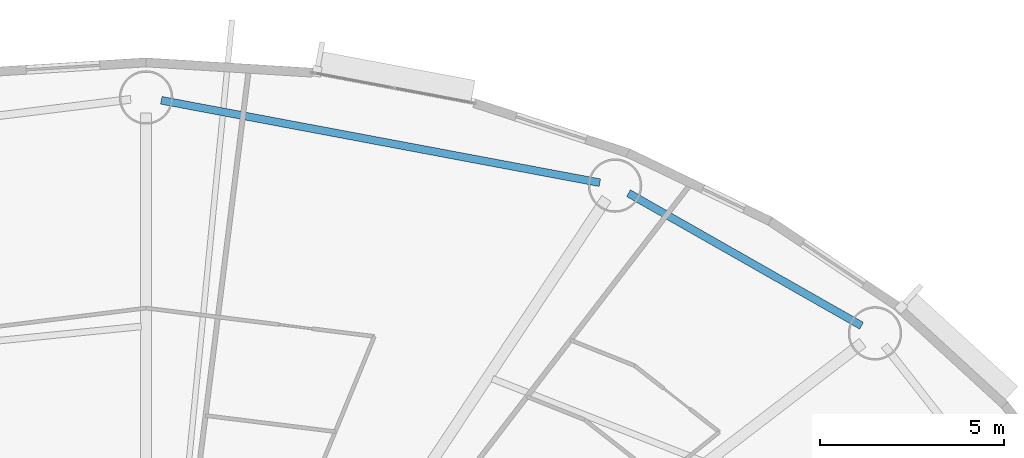
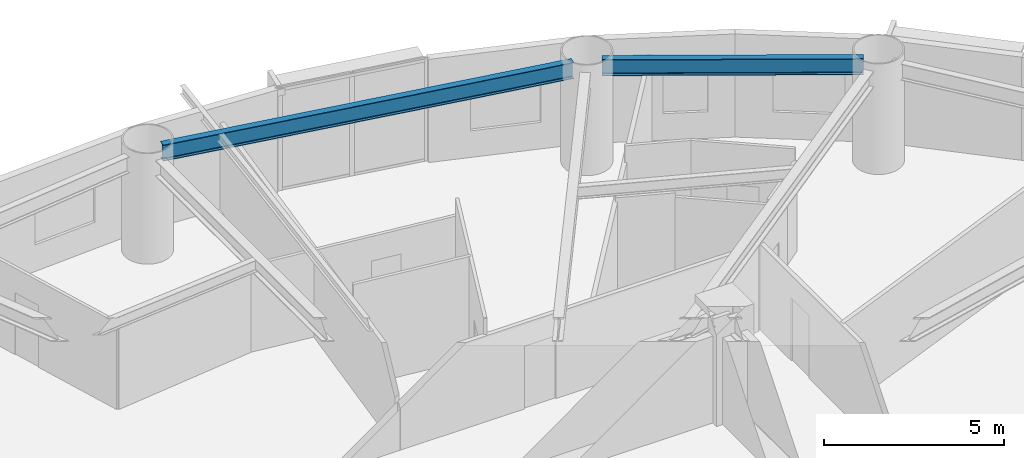
# One storey, part 4 of 18: 2 beams.
"""IFC4 building model written with IfcOpenShell, lengths in metres."""

from ifc_helpers import new_model, si_unit, direction, frame, origin, origin_2d, place, context, subcontext, project, spatial, i_section, extrude, material, material_profile, profile_set, type_object, element, save


model = new_model("IFC4")

# Units and contexts
model_context = context("Model", 3, precision=1e-05, world=origin(), true_north=direction((0.0, 1.0)))
body_context = subcontext(model_context, "Body", "Model", "MODEL_VIEW")
ifc_project = project(units=[si_unit("LENGTHUNIT", "METRE"), si_unit("AREAUNIT", "SQUARE_METRE"), si_unit("VOLUMEUNIT", "CUBIC_METRE"), si_unit("PLANEANGLEUNIT", "RADIAN"), si_unit("MASSUNIT", "GRAM", prefix="KILO")], contexts=[model_context])

# Site, building, storey
site_placement = place(None, origin())
site = spatial("IfcSite", under=ifc_project, at=site_placement, CompositionType="ELEMENT")
building_placement = place(site_placement, origin())
building = spatial("IfcBuilding", under=site, at=building_placement, Name="Linh Dai School and Residence Tower", CompositionType="ELEMENT")
storey_placement = place(building_placement, frame((0.0, 0.0, 104.699951171875)))
storey = spatial("IfcBuildingStorey", under=building, at=storey_placement, Name="L24", CompositionType="ELEMENT", Elevation=104.699951171875)

# Beams
ifc_material = material(Name="Structural Steel S355JR", Category="steel")
ifc_material_profile = material_profile(ifc_material, i_section(OverallWidth=0.2099609375, OverallDepth=0.550048828125, WebThickness=0.010986328125, FlangeThickness=0.01708984375, FilletRadius=0.02392578125, at=origin_2d()), Name="IPE 550")
ifc_profile_set = profile_set([ifc_material_profile], Name="Structural Steel S355JR")
beam_type = type_object("IfcBeamType", Name="BM-RB55", PredefinedType="BEAM", material=ifc_profile_set)
beam_1_placement = place(storey_placement, frame((55.407470703125, 42.363037109375, 3.22509765625), z_axis=(-0.86927031475, 0.494337050902, 0.0), x_axis=(-0.494337050902, -0.86927031475, 0.0)))
element("IfcBeam", 1, at=beam_1_placement, inside=storey, type_object=beam_type, Name="L24 Perimeter Elliptical Ring Beam 03", PredefinedType="BEAM", context=body_context, shape_type="SweptSolid", body=[
    extrude(i_section(OverallWidth=0.2099609375, OverallDepth=0.550048828125, WebThickness=0.010986328125, FlangeThickness=0.01708984375, FilletRadius=0.02392578125, at=origin_2d()), origin(), (0.0, 0.0, 1.0), 7.270751953125),
])
beam_2_placement = place(storey_placement, frame((48.30908203125, 46.24267578125, 3.22509765625), z_axis=(-0.982807507457, 0.184633158685, 0.0), x_axis=(-0.184633158685, -0.982807507457, 0.0)))
element("IfcBeam", 2, at=beam_2_placement, inside=storey, type_object=beam_type, Name="L24 Perimeter Elliptical Ring Beam 04", PredefinedType="BEAM", context=body_context, shape_type="SweptSolid", body=[
    extrude(i_section(OverallWidth=0.2099609375, OverallDepth=0.550048828125, WebThickness=0.010986328125, FlangeThickness=0.01708984375, FilletRadius=0.02392578125, at=origin_2d()), origin(), (0.0, 0.0, 1.0), 12.104248046875),
])

save(model, "model.ifc")
